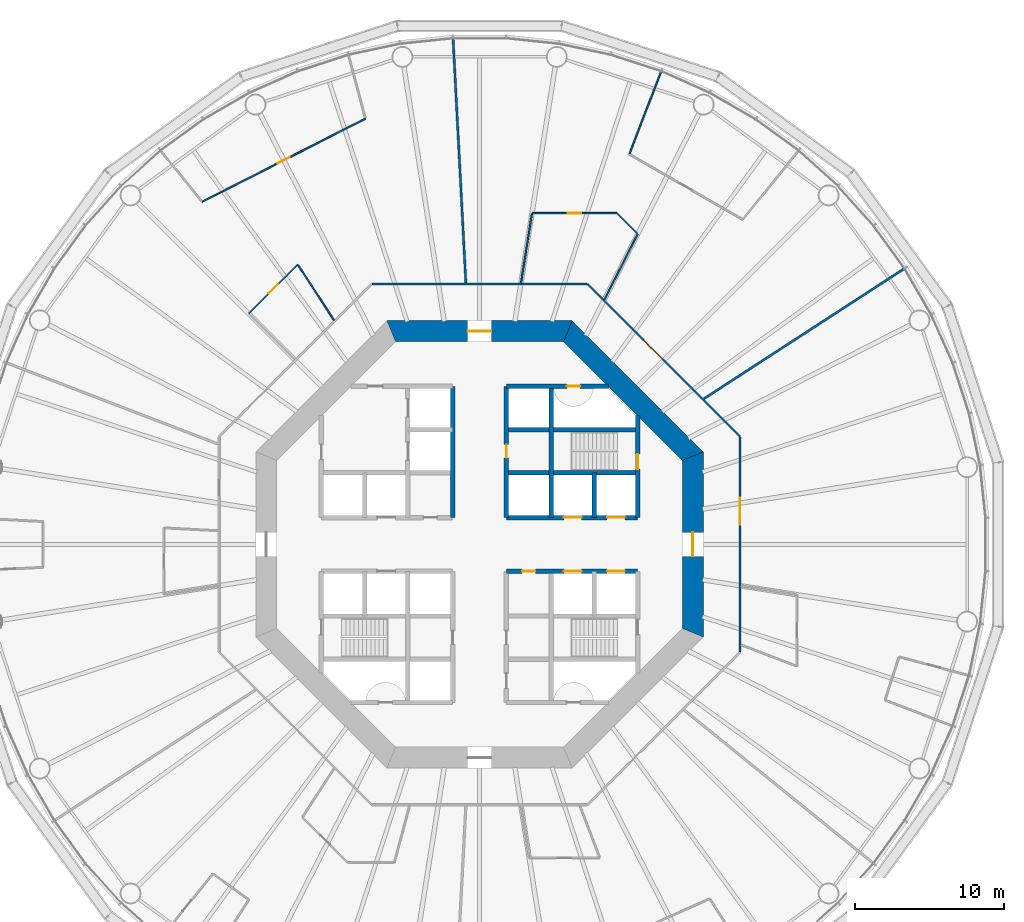
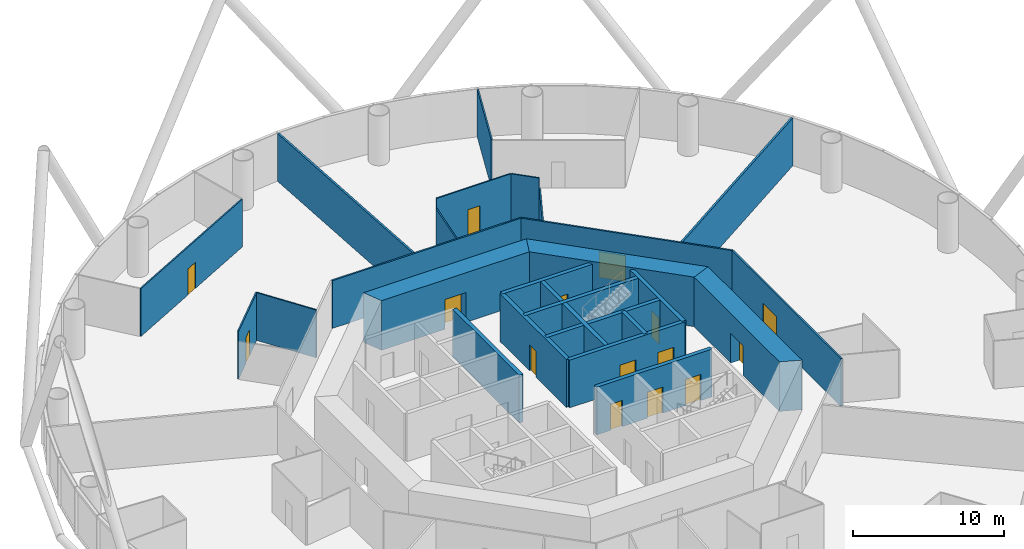
# One storey, part 5 of 13: 26 walls, 15 doors, 15 openings.
"""IFC4 building model written with IfcOpenShell, lengths in metres."""

import ifcopenshell
import ifcopenshell.guid

model = None  # the IFC model being written
_history = None  # IfcOwnerHistory: only IFC2X3 demands one
_inside = {}  # id of a spatial element -> (the spatial element, [elements in it])
_under = {}  # id of a project, library or spatial element -> (it, [spatial elements below it])
_declared = {}  # id of a project -> (the project, [libraries it declares])
_typed = {}  # id of a type object -> (the type object, [elements of that type])
_made_of = {}  # id of a material, layer set ... -> (it, [elements and type objects made of it])


def new_model(schema):
    """Start an empty IFC model of exactly this schema.

    Asked for "IFC4X3", IfcOpenShell would pick the latest addendum, in which some entities
    have other attributes; the version numbers below select the first issue.
    IFC2X3 requires an IfcOwnerHistory on every rooted entity: one is made here for all.
    """
    global model, _history
    if schema == "IFC4X3":
        model = ifcopenshell.file(schema_version=(4, 3, 0, 0))
    else:
        model = ifcopenshell.file(schema=schema)
    _inside.clear()
    _under.clear()
    _declared.clear()
    _typed.clear()
    _made_of.clear()
    _history = None
    if model.schema == "IFC2X3":
        org = make("IfcOrganization", Name="unknown")
        user = make(
            "IfcPersonAndOrganization",
            ThePerson=make("IfcPerson", FamilyName="unknown"),
            TheOrganization=org,
        )
        app = make(
            "IfcApplication",
            ApplicationDeveloper=org,
            Version="unknown",
            ApplicationFullName="unknown",
            ApplicationIdentifier="unknown",
        )
        _history = make(
            "IfcOwnerHistory",
            OwningUser=user,
            OwningApplication=app,
            ChangeAction="ADDED",
            CreationDate=0,
        )
    return model


def make(cls, **values):
    """One entity of the class cls with the attributes given. An attribute that is None is left unset."""
    return model.create_entity(
        cls, **{name: value for name, value in values.items() if value is not None}
    )


def rooted(cls, **values):
    """An entity with a GlobalId (a new one), such as an element, a storey or a relation."""
    return make(cls, GlobalId=ifcopenshell.guid.new(), OwnerHistory=_history, **values)


def si_unit(unit_type, name, prefix=None):
    """IfcSIUnit, for example si_unit("LENGTHUNIT", "METRE", prefix="MILLI")."""
    return make("IfcSIUnit", UnitType=unit_type, Prefix=prefix, Name=name)


def assignment(units):
    """IfcUnitAssignment: the units of a project."""
    return None if units is None else make("IfcUnitAssignment", Units=units)


def point(xyz):
    """IfcCartesianPoint."""
    return None if xyz is None else make("IfcCartesianPoint", Coordinates=xyz)


def direction(xyz):
    """IfcDirection."""
    return None if xyz is None else make("IfcDirection", DirectionRatios=xyz)


def frame(location, z_axis=None, x_axis=None):
    """IfcAxis2Placement3D, a coordinate frame: its origin and axes. An axis left out is left unset."""
    return make(
        "IfcAxis2Placement3D",
        Location=point(location),
        Axis=direction(z_axis),
        RefDirection=direction(x_axis),
    )


def frame_2d(location, x_axis=None):
    """IfcAxis2Placement2D, a coordinate frame in the plane: its origin and x axis."""
    return make(
        "IfcAxis2Placement2D", Location=point(location), RefDirection=direction(x_axis)
    )


def origin():
    """The frame at (0, 0, 0) with its axes left unset."""
    return frame((0.0, 0.0, 0.0))


def place(relative_to, where):
    """IfcLocalPlacement: puts the frame where relative to a parent placement (None: the world)."""
    return make(
        "IfcLocalPlacement", PlacementRelTo=relative_to, RelativePlacement=where
    )


def context(
    kind, dimensions, precision=None, world=None, true_north=None, identifier=None
):
    """IfcGeometricRepresentationContext, for example the 3D "Model" context."""
    return make(
        "IfcGeometricRepresentationContext",
        ContextIdentifier=identifier,
        ContextType=kind,
        CoordinateSpaceDimension=dimensions,
        Precision=precision,
        WorldCoordinateSystem=world,
        TrueNorth=true_north,
    )


def subcontext(parent, identifier, kind, view, scale=None):
    """IfcGeometricRepresentationSubContext, for example "Body" below "Model"."""
    return make(
        "IfcGeometricRepresentationSubContext",
        ContextIdentifier=identifier,
        ContextType=kind,
        ParentContext=parent,
        TargetScale=scale,
        TargetView=view,
    )


def project(units=None, contexts=None):
    """IfcProject with its units and contexts."""
    return rooted(
        "IfcProject",
        Name="project",
        RepresentationContexts=contexts,
        UnitsInContext=assignment(units),
    )


def spatial(cls, under=None, at=None, **own):
    """A site, building, storey or space (cls), placed at a placement, below another one or the project."""
    s = rooted(cls, ObjectPlacement=at, **own)
    if under is not None:
        _under.setdefault(under.id(), (under, []))[1].append(s)
    return s


def polyline(points):
    """IfcPolyline through the points."""
    return make("IfcPolyline", Points=[point(p) for p in points])


def profile(cls, at=None, kind="AREA", **sizes):
    """A parametric profile (cls). Its sizes go by their IFC names, for example OverallWidth=200.0."""
    return make(cls, ProfileType=kind, Position=at, **sizes)


def rectangle(**sizes):
    """IfcRectangleProfileDef."""
    return profile("IfcRectangleProfileDef", **sizes)


def outline(outer, holes=None, kind="AREA"):
    """IfcArbitraryClosedProfileDef: a profile drawn as a closed curve; with holes, ...WithVoids."""
    if holes is None:
        return make("IfcArbitraryClosedProfileDef", ProfileType=kind, OuterCurve=outer)
    return make(
        "IfcArbitraryProfileDefWithVoids",
        ProfileType=kind,
        OuterCurve=outer,
        InnerCurves=holes,
    )


def extrude(swept, where, along, depth):
    """IfcExtrudedAreaSolid: the profile swept, set in the frame where, extruded along a direction by depth."""
    return make(
        "IfcExtrudedAreaSolid",
        SweptArea=swept,
        Position=where,
        ExtrudedDirection=direction(along),
        Depth=depth,
    )


def shape(context_of_items, identifier, shape_type, items):
    """IfcShapeRepresentation: the items that make up one representation, for example the "Body"."""
    return make(
        "IfcShapeRepresentation",
        ContextOfItems=context_of_items,
        RepresentationIdentifier=identifier,
        RepresentationType=shape_type,
        Items=items,
    )


def material(Name=None, Category=None):
    """IfcMaterial."""
    return make("IfcMaterial", Name=Name, Category=Category)


def layer(
    of_material, thickness, ventilated=None, Name=None, Category=None, Priority=None
):
    """IfcMaterialLayer: one layer of a wall or slab, of a material (None: an air gap)."""
    return make(
        "IfcMaterialLayer",
        Material=of_material,
        LayerThickness=thickness,
        IsVentilated=ventilated,
        Name=Name,
        Category=Category,
        Priority=Priority,
    )


def layer_set(layers, Name=None):
    """IfcMaterialLayerSet."""
    return make("IfcMaterialLayerSet", MaterialLayers=layers, LayerSetName=Name)


def made_of(thing, what):
    """Note that an element or type object is made of a material, layer set ...; save() writes the relation."""
    if what is not None:
        _made_of.setdefault(what.id(), (what, []))[1].append(thing)
    return thing


def type_object(cls, material=None, **own):
    """A type object (cls), such as IfcWallType, which elements share."""
    return made_of(rooted(cls, **own), material)


def element(
    cls,
    number,
    at=None,
    inside=None,
    cuts=None,
    type_object=None,
    material=None,
    context=None,
    identifier="Body",
    shape_type=None,
    held_by="IfcProductDefinitionShape",
    body=None,
    shapes=None,
    **own,
):
    """One element of the class cls, such as IfcWall. Its Tag is "e" and its number.

    at: its placement. inside: the storey or other place that contains it. cuts: it is an
    opening in that element (IfcRelVoidsElement). A single representation is given by context,
    identifier, shape_type and body (its items); several are given by shapes. held_by: the class
    of the entity that holds the representations. save() writes the other relations.
    """
    e = rooted(cls, Tag="e%d" % number, ObjectPlacement=at, **own)
    if body is not None:
        shapes = [shape(context, identifier, shape_type, body)]
    if shapes is not None:
        e.Representation = make(held_by, Representations=shapes)
    if inside is not None:
        _inside.setdefault(inside.id(), (inside, []))[1].append(e)
    if cuts is not None:
        rooted(
            "IfcRelVoidsElement", RelatingBuildingElement=cuts, RelatedOpeningElement=e
        )
    if type_object is not None:
        _typed.setdefault(type_object.id(), (type_object, []))[1].append(e)
    return made_of(e, material)


def fill(opening, filler):
    """IfcRelFillsElement: the door or window that sits in an opening."""
    return rooted(
        "IfcRelFillsElement",
        RelatingOpeningElement=opening,
        RelatedBuildingElement=filler,
    )


def aggregate(whole, parts):
    """IfcRelAggregates: a whole, such as a stair, and the parts it consists of."""
    return rooted("IfcRelAggregates", RelatingObject=whole, RelatedObjects=parts)


def save(model, path):
    """Write the relations noted so far, then the file.

    IfcRelAggregates (storeys below a building ...), IfcRelContainedInSpatialStructure (elements
    in a storey), IfcRelDefinesByType, IfcRelAssociatesMaterial and IfcRelDeclares: one each for
    every whole, place, type object, material and project.
    """
    for whole, parts in _under.values():
        aggregate(whole, parts)
    for where, things in _inside.values():
        rooted(
            "IfcRelContainedInSpatialStructure",
            RelatedElements=things,
            RelatingStructure=where,
        )
    for kind, things in _typed.values():
        rooted("IfcRelDefinesByType", RelatedObjects=things, RelatingType=kind)
    for what, things in _made_of.values():
        rooted("IfcRelAssociatesMaterial", RelatedObjects=things, RelatingMaterial=what)
    for by, libraries in _declared.values():
        rooted("IfcRelDeclares", RelatingContext=by, RelatedDefinitions=libraries)
    model.write(path)


model = new_model("IFC4")

# Units and contexts
model_context = context("Model", 3, precision=1e-05, world=origin(), true_north=direction((0.0, 1.0)))
body_context = subcontext(model_context, "Body", "Model", "MODEL_VIEW")
ifc_project = project(units=[si_unit("LENGTHUNIT", "METRE"), si_unit("AREAUNIT", "SQUARE_METRE"), si_unit("VOLUMEUNIT", "CUBIC_METRE"), si_unit("PLANEANGLEUNIT", "RADIAN"), si_unit("MASSUNIT", "GRAM", prefix="KILO")], contexts=[model_context])

# Site, building, storey
site_placement = place(None, origin())
site = spatial("IfcSite", under=ifc_project, at=site_placement, CompositionType="ELEMENT")
building_placement = place(site_placement, origin())
building = spatial("IfcBuilding", under=site, at=building_placement, Name="Entoto Ring Tower", CompositionType="ELEMENT")
storey_placement = place(building_placement, frame((0.0, 0.0, 38.0)))
storey = spatial("IfcBuildingStorey", under=building, at=storey_placement, Name="L07", CompositionType="ELEMENT", Elevation=38.0)

# Wall, opening, door
ifc_material_1 = material(Name="Concrete C40/50", Category="concrete")
ifc_layer_1 = layer(ifc_material_1, 0.300048828125)
ifc_layer_set_1 = layer_set([ifc_layer_1], Name="Concrete C40/50")
wall_type_1 = type_object("IfcWallType", Name="Core enclosure wall 300 mm reinforced concrete", PredefinedType="SOLIDWALL", material=ifc_layer_set_1)
wall_1_placement = place(storey_placement, frame((100.60009765625, 81.800048828125, 0.0), z_axis=(0.0, 0.0, 1.0), x_axis=(0.0, 1.0, 0.0)))
wall_1 = element("IfcWall", 1, at=wall_1_placement, inside=storey, type_object=wall_type_1, Name="wall-L07-002", PredefinedType="SOLIDWALL", context=body_context, shape_type="SweptSolid", body=[
    extrude(rectangle(XDim=6.833251953125, YDim=0.300048828125, at=frame_2d((3.41650390625, 0.0))), origin(), (0.0, 0.0, 1.0), 3.85009765625),
])
opening_1_placement = place(wall_1_placement, frame((3.25, 0.0, 0.0)))
opening_1 = element("IfcOpeningElement", 2, at=opening_1_placement, cuts=wall_1, Name="Opening K-17", PredefinedType="OPENING", context=body_context, shape_type="SweptSolid", body=[
    extrude(rectangle(XDim=1.0, YDim=2.10009765625, at=frame_2d((0.5, 1.050048828125))), frame((0.0, 0.16015625, 0.0), z_axis=(0.0, -1.0, 0.0), x_axis=(1.0, 0.0, 0.0)), (0.0, 0.0, 1.0), 0.320068359375),
])
ifc_material_2 = material(Name="Steel door leaf, fire rated", Category="steel")
ifc_layer_2 = layer(ifc_material_2, 0.050048828125)
ifc_layer_set_2 = layer_set([ifc_layer_2], Name="Steel door leaf, fire rated")
door_type_1 = type_object("IfcDoorType", Name="Fire door FD60 1000 x 2100 single leaf", OperationType="NOTDEFINED", PredefinedType="DOOR", material=ifc_layer_set_2)
door_1_placement = place(opening_1_placement, origin())
door_1 = element("IfcDoor", 3, at=door_1_placement, inside=storey, type_object=door_type_1, Name="Door K-17", OperationType="SINGLE_SWING_RIGHT", OverallHeight=2.10009765625, OverallWidth=1.0, PredefinedType="DOOR", context=body_context, shape_type="SweptSolid", body=[
    extrude(rectangle(XDim=1.0, YDim=2.10009765625, at=frame_2d((0.5, 1.050048828125))), frame((0.0, 0.02490234375, 0.0), z_axis=(0.0, -1.0, 0.0), x_axis=(1.0, 0.0, 0.0)), (0.0, 0.0, 1.0), 0.050048828125),
])
fill(opening_1, door_1)

# Walls
wall_2_placement = place(storey_placement, frame((97.699951171875, 81.800048828125, 0.0), z_axis=(0.0, 0.0, 1.0), x_axis=(0.0, 1.0, 0.0)))
element("IfcWall", 4, at=wall_2_placement, inside=storey, type_object=wall_type_1, Name="wall-L07-004", PredefinedType="SOLIDWALL", context=body_context, shape_type="SweptSolid", body=[
    extrude(rectangle(XDim=3.0, YDim=0.300048828125, at=frame_2d((1.5, 0.0))), origin(), (0.0, 0.0, 1.0), 3.85009765625),
])
wall_3_placement = place(storey_placement, frame((94.800048828125, 81.800048828125, 0.0), z_axis=(0.0, 0.0, 1.0), x_axis=(0.0, 1.0, 0.0)))
element("IfcWall", 5, at=wall_3_placement, inside=storey, type_object=wall_type_1, Name="wall-L07-006", PredefinedType="SOLIDWALL", context=body_context, shape_type="SweptSolid", body=[
    extrude(rectangle(XDim=8.800048828125, YDim=0.300048828125, at=frame_2d((4.39990234375, 0.0))), origin(), (0.0, 0.0, 1.0), 3.85009765625),
])

# Wall, opening, door
wall_4_placement = place(storey_placement, frame((91.800048828125, 81.800048828125, 0.0), z_axis=(0.0, 0.0, 1.0), x_axis=(0.0, 1.0, 0.0)))
wall_4 = element("IfcWall", 6, at=wall_4_placement, inside=storey, type_object=wall_type_1, Name="wall-L07-008", PredefinedType="SOLIDWALL", context=body_context, shape_type="SweptSolid", body=[
    extrude(rectangle(XDim=8.800048828125, YDim=0.300048828125, at=frame_2d((4.39990234375, 0.0))), origin(), (0.0, 0.0, 1.0), 3.85009765625),
])
opening_2_placement = place(wall_4_placement, frame((4.0, 0.0, 0.0)))
opening_2 = element("IfcOpeningElement", 7, at=opening_2_placement, cuts=wall_4, Name="Opening K-11", PredefinedType="OPENING", context=body_context, shape_type="SweptSolid", body=[
    extrude(rectangle(XDim=0.89990234375, YDim=2.10009765625, at=frame_2d((0.449951171875, 1.050048828125))), frame((0.0, 0.16015625, 0.0), z_axis=(0.0, -1.0, 0.0), x_axis=(1.0, 0.0, 0.0)), (0.0, 0.0, 1.0), 0.320068359375),
])
ifc_material_3 = material(Name="Steel door leaf, fire rated", Category="steel")
ifc_layer_3 = layer(ifc_material_3, 0.050048828125)
ifc_layer_set_3 = layer_set([ifc_layer_3], Name="Steel door leaf, fire rated")
door_type_2 = type_object("IfcDoorType", Name="Core door 900 x 2100 single leaf", OperationType="NOTDEFINED", PredefinedType="DOOR", material=ifc_layer_set_3)
door_2_placement = place(opening_2_placement, origin())
door_2 = element("IfcDoor", 8, at=door_2_placement, inside=storey, type_object=door_type_2, Name="Door K-11", OperationType="SINGLE_SWING_RIGHT", OverallHeight=2.10009765625, OverallWidth=0.89990234375, PredefinedType="DOOR", context=body_context, shape_type="SweptSolid", body=[
    extrude(rectangle(XDim=0.89990234375, YDim=2.10009765625, at=frame_2d((0.449951171875, 1.050048828125))), frame((0.0, 0.02490234375, 0.0), z_axis=(0.0, -1.0, 0.0), x_axis=(1.0, 0.0, 0.0)), (0.0, 0.0, 1.0), 0.050048828125),
])
fill(opening_2, door_2)

# Wall
wall_5_placement = place(storey_placement, frame((88.199951171875, 81.800048828125, 0.0), z_axis=(0.0, 0.0, 1.0), x_axis=(0.0, 1.0, 0.0)))
element("IfcWall", 9, at=wall_5_placement, inside=storey, type_object=wall_type_1, Name="wall-L07-010", PredefinedType="SOLIDWALL", context=body_context, shape_type="SweptSolid", body=[
    extrude(rectangle(XDim=8.800048828125, YDim=0.300048828125, at=frame_2d((4.39990234375, 0.0))), origin(), (0.0, 0.0, 1.0), 3.85009765625),
])

# Wall, openings, doors
wall_6_placement = place(storey_placement, frame((91.800048828125, 78.199951171875, 0.0), z_axis=(0.0, 0.0, 1.0), x_axis=(1.0, 0.0, 0.0)))
wall_6 = element("IfcWall", 10, at=wall_6_placement, inside=storey, type_object=wall_type_1, Name="wall-L07-024", PredefinedType="SOLIDWALL", context=body_context, shape_type="SweptSolid", body=[
    extrude(rectangle(XDim=8.800048828125, YDim=0.300048828125, at=frame_2d((4.39990234375, 0.0))), origin(), (0.0, 0.0, 1.0), 3.85009765625),
])
opening_3_placement = place(wall_6_placement, frame((3.85009765625, 0.0, 0.0)))
opening_3 = element("IfcOpeningElement", 11, at=opening_3_placement, cuts=wall_6, Name="Opening LD", PredefinedType="OPENING", context=body_context, shape_type="SweptSolid", body=[
    extrude(rectangle(XDim=1.199951171875, YDim=2.10009765625, at=frame_2d((0.60009765625, 1.050048828125))), frame((0.0, 0.16015625, 0.0), z_axis=(0.0, -1.0, 0.0), x_axis=(1.0, 0.0, 0.0)), (0.0, 0.0, 1.0), 0.320068359375),
])
opening_4_placement = place(wall_6_placement, frame((6.75, 0.0, 0.0)))
opening_4 = element("IfcOpeningElement", 12, at=opening_4_placement, cuts=wall_6, Name="Opening LD", PredefinedType="OPENING", context=body_context, shape_type="SweptSolid", body=[
    extrude(rectangle(XDim=1.199951171875, YDim=2.10009765625, at=frame_2d((0.60009765625, 1.050048828125))), frame((0.0, 0.16015625, 0.0), z_axis=(0.0, -1.0, 0.0), x_axis=(1.0, 0.0, 0.0)), (0.0, 0.0, 1.0), 0.320068359375),
])
opening_5_placement = place(wall_6_placement, frame((1.050048828125, 0.0, 0.0)))
opening_5 = element("IfcOpeningElement", 13, at=opening_5_placement, cuts=wall_6, Name="Opening K-16", PredefinedType="OPENING", context=body_context, shape_type="SweptSolid", body=[
    extrude(rectangle(XDim=0.89990234375, YDim=2.10009765625, at=frame_2d((0.449951171875, 1.050048828125))), frame((0.0, 0.16015625, 0.0), z_axis=(0.0, -1.0, 0.0), x_axis=(1.0, 0.0, 0.0)), (0.0, 0.0, 1.0), 0.320068359375),
])
door_3_placement = place(opening_5_placement, frame((0.89990234375, 0.0, 0.0), z_axis=(0.0, 0.0, 1.0), x_axis=(-1.0, 0.0, 0.0)))
door_3 = element("IfcDoor", 14, at=door_3_placement, inside=storey, type_object=door_type_2, Name="Door K-16", OperationType="SINGLE_SWING_RIGHT", OverallHeight=2.10009765625, OverallWidth=0.89990234375, PredefinedType="DOOR", context=body_context, shape_type="SweptSolid", body=[
    extrude(rectangle(XDim=0.89990234375, YDim=2.10009765625, at=frame_2d((0.449951171875, 1.050048828125))), frame((0.0, 0.02490234375, 0.0), z_axis=(0.0, -1.0, 0.0), x_axis=(1.0, 0.0, 0.0)), (0.0, 0.0, 1.0), 0.050048828125),
])
fill(opening_5, door_3)
ifc_material_4 = material(Name="Steel and glass door leaf", Category="steel")
ifc_layer_4 = layer(ifc_material_4, 0.050048828125)
ifc_layer_set_4 = layer_set([ifc_layer_4], Name="Steel and glass door leaf")
door_type_3 = type_object("IfcDoorType", Name="Landing door 1200 x 2100 sliding", OperationType="DOUBLE_DOOR_SLIDING", PredefinedType="DOOR", material=ifc_layer_set_4)
door_4_placement = place(opening_3_placement, origin())
door_4 = element("IfcDoor", 15, at=door_4_placement, inside=storey, type_object=door_type_3, Name="Landing door LB4-LR", OperationType="SLIDING_TO_RIGHT", OverallHeight=2.10009765625, OverallWidth=1.199951171875, PredefinedType="DOOR", context=body_context, shape_type="SweptSolid", body=[
    extrude(rectangle(XDim=1.199951171875, YDim=2.10009765625, at=frame_2d((0.60009765625, 1.050048828125))), frame((0.0, 0.02490234375, 0.0), z_axis=(0.0, -1.0, 0.0), x_axis=(1.0, 0.0, 0.0)), (0.0, 0.0, 1.0), 0.050048828125),
])
fill(opening_3, door_4)
door_5_placement = place(opening_4_placement, origin())
door_5 = element("IfcDoor", 16, at=door_5_placement, inside=storey, type_object=door_type_3, Name="Landing door LB5-LR", OperationType="SLIDING_TO_RIGHT", OverallHeight=2.10009765625, OverallWidth=1.199951171875, PredefinedType="DOOR", context=body_context, shape_type="SweptSolid", body=[
    extrude(rectangle(XDim=1.199951171875, YDim=2.10009765625, at=frame_2d((0.60009765625, 1.050048828125))), frame((0.0, 0.02490234375, 0.0), z_axis=(0.0, -1.0, 0.0), x_axis=(1.0, 0.0, 0.0)), (0.0, 0.0, 1.0), 0.050048828125),
])
fill(opening_4, door_5)

wall_7_placement = place(storey_placement, frame((91.800048828125, 81.800048828125, 0.0), z_axis=(0.0, 0.0, 1.0), x_axis=(1.0, 0.0, 0.0)))
wall_7 = element("IfcWall", 17, at=wall_7_placement, inside=storey, type_object=wall_type_1, Name="wall-L07-026", PredefinedType="SOLIDWALL", context=body_context, shape_type="SweptSolid", body=[
    extrude(rectangle(XDim=8.800048828125, YDim=0.300048828125, at=frame_2d((4.39990234375, 0.0))), origin(), (0.0, 0.0, 1.0), 3.85009765625),
])
opening_6_placement = place(wall_7_placement, frame((3.85009765625, 0.0, 0.0)))
opening_6 = element("IfcOpeningElement", 18, at=opening_6_placement, cuts=wall_7, Name="Opening LD", PredefinedType="OPENING", context=body_context, shape_type="SweptSolid", body=[
    extrude(rectangle(XDim=1.199951171875, YDim=2.10009765625, at=frame_2d((0.60009765625, 1.050048828125))), frame((0.0, 0.16015625, 0.0), z_axis=(0.0, -1.0, 0.0), x_axis=(1.0, 0.0, 0.0)), (0.0, 0.0, 1.0), 0.320068359375),
])
opening_7_placement = place(wall_7_placement, frame((6.75, 0.0, 0.0)))
opening_7 = element("IfcOpeningElement", 19, at=opening_7_placement, cuts=wall_7, Name="Opening LD", PredefinedType="OPENING", context=body_context, shape_type="SweptSolid", body=[
    extrude(rectangle(XDim=1.199951171875, YDim=2.10009765625, at=frame_2d((0.60009765625, 1.050048828125))), frame((0.0, 0.16015625, 0.0), z_axis=(0.0, -1.0, 0.0), x_axis=(1.0, 0.0, 0.0)), (0.0, 0.0, 1.0), 0.320068359375),
])
door_6_placement = place(opening_6_placement, origin())
door_6 = element("IfcDoor", 20, at=door_6_placement, inside=storey, type_object=door_type_3, Name="Landing door LB1-LR", OperationType="SLIDING_TO_RIGHT", OverallHeight=2.10009765625, OverallWidth=1.199951171875, PredefinedType="DOOR", context=body_context, shape_type="SweptSolid", body=[
    extrude(rectangle(XDim=1.199951171875, YDim=2.10009765625, at=frame_2d((0.60009765625, 1.050048828125))), frame((0.0, 0.02490234375, 0.0), z_axis=(0.0, -1.0, 0.0), x_axis=(1.0, 0.0, 0.0)), (0.0, 0.0, 1.0), 0.050048828125),
])
fill(opening_6, door_6)
door_7_placement = place(opening_7_placement, origin())
door_7 = element("IfcDoor", 21, at=door_7_placement, inside=storey, type_object=door_type_3, Name="Landing door LB2-LR", OperationType="SLIDING_TO_RIGHT", OverallHeight=2.10009765625, OverallWidth=1.199951171875, PredefinedType="DOOR", context=body_context, shape_type="SweptSolid", body=[
    extrude(rectangle(XDim=1.199951171875, YDim=2.10009765625, at=frame_2d((0.60009765625, 1.050048828125))), frame((0.0, 0.02490234375, 0.0), z_axis=(0.0, -1.0, 0.0), x_axis=(1.0, 0.0, 0.0)), (0.0, 0.0, 1.0), 0.050048828125),
])
fill(opening_7, door_7)

# Walls
for number, where, z_axis, x_axis, name in (
    (22, (91.800048828125, 84.800048828125, 0.0), (0.0, 0.0, 1.0), (1.0, 0.0, 0.0), "wall-L07-028"),
    (23, (91.800048828125, 87.699951171875, 0.0), (0.0, 0.0, 1.0), (1.0, 0.0, 0.0), "wall-L07-030"),
):
    element("IfcWall", number, at=place(storey_placement, frame(where, z_axis=z_axis, x_axis=x_axis)), inside=storey, type_object=wall_type_1, Name=name, PredefinedType="SOLIDWALL", context=body_context, shape_type="SweptSolid", body=[
        extrude(rectangle(XDim=8.800048828125, YDim=0.300048828125, at=frame_2d((4.39990234375, 0.0))), origin(), (0.0, 0.0, 1.0), 3.85009765625),
    ])

# Wall, opening, door
wall_8_placement = place(storey_placement, frame((91.800048828125, 90.60009765625, 0.0), z_axis=(0.0, 0.0, 1.0), x_axis=(1.0, 0.0, 0.0)))
wall_8 = element("IfcWall", 24, at=wall_8_placement, inside=storey, type_object=wall_type_1, Name="wall-L07-032", PredefinedType="SOLIDWALL", context=body_context, shape_type="SweptSolid", body=[
    extrude(rectangle(XDim=6.833251953125, YDim=0.300048828125, at=frame_2d((3.41650390625, 0.0))), origin(), (0.0, 0.0, 1.0), 3.85009765625),
])
opening_8_placement = place(wall_8_placement, frame((4.050048828125, 0.0, 0.0)))
opening_8 = element("IfcOpeningElement", 25, at=opening_8_placement, cuts=wall_8, Name="Opening K-20", PredefinedType="OPENING", context=body_context, shape_type="SweptSolid", body=[
    extrude(rectangle(XDim=0.89990234375, YDim=2.10009765625, at=frame_2d((0.449951171875, 1.050048828125))), frame((0.0, 0.16015625, 0.0), z_axis=(0.0, -1.0, 0.0), x_axis=(1.0, 0.0, 0.0)), (0.0, 0.0, 1.0), 0.320068359375),
])
ifc_material_5 = material(Name="Steel door leaf, fire rated", Category="steel")
ifc_layer_5 = layer(ifc_material_5, 0.050048828125)
ifc_layer_set_5 = layer_set([ifc_layer_5], Name="Steel door leaf, fire rated")
door_type_4 = type_object("IfcDoorType", Name="Riser door FD60 900 x 2100 single leaf", OperationType="NOTDEFINED", PredefinedType="DOOR", material=ifc_layer_set_5)
door_8_placement = place(opening_8_placement, frame((0.89990234375, 0.0, 0.0), z_axis=(0.0, 0.0, 1.0), x_axis=(-1.0, 0.0, 0.0)))
door_8 = element("IfcDoor", 26, at=door_8_placement, inside=storey, type_object=door_type_4, Name="Door K-20", OperationType="SINGLE_SWING_LEFT", OverallHeight=2.10009765625, OverallWidth=0.89990234375, PredefinedType="DOOR", context=body_context, shape_type="SweptSolid", body=[
    extrude(rectangle(XDim=0.89990234375, YDim=2.10009765625, at=frame_2d((0.449951171875, 1.050048828125))), frame((0.0, 0.02490234375, 0.0), z_axis=(0.0, -1.0, 0.0), x_axis=(1.0, 0.0, 0.0)), (0.0, 0.0, 1.0), 0.050048828125),
])
fill(opening_8, door_8)

ifc_material_6 = material(Name="Concrete C60/75", Category="concrete")
ifc_layer_6 = layer(ifc_material_6, 1.39990234375)
ifc_layer_set_6 = layer_set([ifc_layer_6], Name="Concrete C60/75")
wall_type_2 = type_object("IfcWallType", Name="Core shear wall 1400 mm reinforced concrete C60/75", PredefinedType="SHEAR", material=ifc_layer_set_6)
wall_9_placement = place(storey_placement, frame((104.300048828125, 74.07666015625, 0.0), z_axis=(0.0, 0.0, 1.0), x_axis=(0.0, 1.0, 0.0)))
wall_9 = element("IfcWall", 27, at=wall_9_placement, inside=storey, type_object=wall_type_2, Name="wall-L07-core-0", PredefinedType="SHEAR", context=body_context, shape_type="SweptSolid", body=[
    extrude(outline(polyline([(-0.2900390625, -0.699951171875), (12.13671875, -0.699951171875), (11.556640625, 0.699951171875), (0.2900390625, 0.699951171875), (-0.2900390625, -0.699951171875)])), origin(), (0.0, 0.0, 1.0), 4.0),
])
opening_9_placement = place(wall_9_placement, frame((5.123291015625, 0.0, 0.0)))
opening_9 = element("IfcOpeningElement", 28, at=opening_9_placement, cuts=wall_9, Name="Opening K-01", PredefinedType="OPENING", context=body_context, shape_type="SweptSolid", body=[
    extrude(rectangle(XDim=1.60009765625, YDim=2.39990234375, at=frame_2d((0.800048828125, 1.199951171875))), frame((0.0, 0.7099609375, 0.0), z_axis=(0.0, -1.0, 0.0), x_axis=(1.0, 0.0, 0.0)), (0.0, 0.0, 1.0), 1.419921875),
])
ifc_material_7 = material(Name="Steel door leaf, fire rated", Category="steel")
ifc_layer_7 = layer(ifc_material_7, 0.050048828125)
ifc_layer_set_7 = layer_set([ifc_layer_7], Name="Steel door leaf, fire rated")
door_type_5 = type_object("IfcDoorType", Name="Entrance door FD60 1600 x 2400 double leaf", OperationType="DOUBLE_DOOR_SINGLE_SWING", PredefinedType="DOOR", material=ifc_layer_set_7)
door_9_placement = place(opening_9_placement, origin())
door_9 = element("IfcDoor", 29, at=door_9_placement, inside=storey, type_object=door_type_5, Name="Entrance door K-01", OperationType="DOUBLE_DOOR_SINGLE_SWING", OverallHeight=2.39990234375, OverallWidth=1.60009765625, PredefinedType="DOOR", context=body_context, shape_type="SweptSolid", body=[
    extrude(rectangle(XDim=1.60009765625, YDim=2.39990234375, at=frame_2d((0.800048828125, 1.199951171875))), frame((0.0, 0.02490234375, 0.0), z_axis=(0.0, -1.0, 0.0), x_axis=(1.0, 0.0, 0.0)), (0.0, 0.0, 1.0), 0.050048828125),
])
fill(opening_9, door_9)

# Wall
wall_10_placement = place(storey_placement, frame((104.300048828125, 85.92333984375, 0.0), z_axis=(0.0, 0.0, 1.0), x_axis=(-0.707106781187, 0.707106781187, 0.0)))
element("IfcWall", 30, at=wall_10_placement, inside=storey, type_object=wall_type_2, Name="wall-L07-core-1", PredefinedType="SHEAR", context=body_context, shape_type="SweptSolid", body=[
    extrude(outline(polyline([(-0.2900390625, -0.699951171875), (12.136474609375, -0.699951171875), (11.556396484375, 0.699951171875), (0.2900390625, 0.699951171875), (-0.2900390625, -0.699951171875)])), origin(), (0.0, 0.0, 1.0), 4.0),
])

# Wall, opening, door
wall_11_placement = place(storey_placement, frame((95.92333984375, 94.300048828125, 0.0), z_axis=(0.0, 0.0, 1.0), x_axis=(-1.0, 0.0, 0.0)))
wall_11 = element("IfcWall", 31, at=wall_11_placement, inside=storey, type_object=wall_type_2, Name="wall-L07-core-2", PredefinedType="SHEAR", context=body_context, shape_type="SweptSolid", body=[
    extrude(outline(polyline([(-0.2900390625, -0.699951171875), (12.13671875, -0.699951171875), (11.556640625, 0.699951171875), (0.2900390625, 0.699951171875), (-0.2900390625, -0.699951171875)])), origin(), (0.0, 0.0, 1.0), 4.0),
])
opening_10_placement = place(wall_11_placement, frame((5.123291015625, 0.0, 0.0)))
opening_10 = element("IfcOpeningElement", 32, at=opening_10_placement, cuts=wall_11, Name="Opening K-02", PredefinedType="OPENING", context=body_context, shape_type="SweptSolid", body=[
    extrude(rectangle(XDim=1.60009765625, YDim=2.39990234375, at=frame_2d((0.800048828125, 1.199951171875))), frame((0.0, 0.7099609375, 0.0), z_axis=(0.0, -1.0, 0.0), x_axis=(1.0, 0.0, 0.0)), (0.0, 0.0, 1.0), 1.419921875),
])
door_10_placement = place(opening_10_placement, origin())
door_10 = element("IfcDoor", 33, at=door_10_placement, inside=storey, type_object=door_type_5, Name="Entrance door K-02", OperationType="DOUBLE_DOOR_SINGLE_SWING", OverallHeight=2.39990234375, OverallWidth=1.60009765625, PredefinedType="DOOR", context=body_context, shape_type="SweptSolid", body=[
    extrude(rectangle(XDim=1.60009765625, YDim=2.39990234375, at=frame_2d((0.800048828125, 1.199951171875))), frame((0.0, 0.02490234375, 0.0), z_axis=(0.0, -1.0, 0.0), x_axis=(1.0, 0.0, 0.0)), (0.0, 0.0, 1.0), 0.050048828125),
])
fill(opening_10, door_10)

ifc_material_8 = material(Name="Fire-resisting plasterboard on steel studs", Category="steel")
ifc_layer_8 = layer(ifc_material_8, 0.125)
ifc_layer_set_8 = layer_set([ifc_layer_8], Name="Fire-resisting plasterboard on steel studs")
wall_type_3 = type_object("IfcWallType", Name="Corridor wall 125 mm one-hour plasterboard on steel studs", PredefinedType="PARTITIONING", material=ifc_layer_set_8)
wall_12_placement = place(storey_placement, frame((107.46240234375, 87.233154296875, 0.0), z_axis=(0.0, 0.0, 1.0), x_axis=(-0.707106781187, 0.707106781187, 0.0)))
wall_12 = element("IfcWall", 34, at=wall_12_placement, inside=storey, type_object=wall_type_3, Name="partition-L07-004", PredefinedType="PARTITIONING", context=body_context, shape_type="SweptSolid", body=[
    extrude(rectangle(XDim=14.46630859375, YDim=0.125, at=frame_2d((7.233154296875, 0.0))), origin(), (0.0, 0.0, 1.0), 3.85009765625),
])
opening_11_placement = place(wall_12_placement, frame((7.314208984375, 0.0, 0.0)))
opening_11 = element("IfcOpeningElement", 35, at=opening_11_placement, cuts=wall_12, Name="Opening A03-D10", PredefinedType="OPENING", context=body_context, shape_type="SweptSolid", body=[
    extrude(rectangle(XDim=1.800048828125, YDim=2.10009765625, at=frame_2d((0.89990234375, 1.050048828125))), frame((0.0, 0.072509765625, 0.0), z_axis=(0.0, -1.0, 0.0), x_axis=(1.0, 0.0, 0.0)), (0.0, 0.0, 1.0), 0.14501953125),
])
ifc_material_9 = material(Name="Fire-resisting timber door set", Category="wood")
door_type_6 = type_object("IfcDoorType", Name="Door 1800 x 2100 double leaf FD30S fire door", OperationType="DOUBLE_DOOR_SINGLE_SWING", PredefinedType="DOOR", material=ifc_material_9)
door_11_placement = place(opening_11_placement, frame((1.800048828125, 0.0, 0.0), z_axis=(0.0, 0.0, 1.0), x_axis=(-1.0, 0.0, 0.0)))
door_11 = element("IfcDoor", 36, at=door_11_placement, inside=storey, type_object=door_type_6, Name="Door A03-D10", OperationType="DOUBLE_DOOR_SINGLE_SWING", OverallHeight=2.10009765625, OverallWidth=1.800048828125, PredefinedType="DOOR", context=body_context, shape_type="SweptSolid", body=[
    extrude(rectangle(XDim=1.800048828125, YDim=2.10009765625, at=frame_2d((0.89990234375, 1.050048828125))), frame((0.0, 0.02490234375, 0.0), z_axis=(0.0, -1.0, 0.0), x_axis=(1.0, 0.0, 0.0)), (0.0, 0.0, 1.0), 0.050048828125),
])
fill(opening_11, door_11)

# Wall
wall_13_placement = place(storey_placement, frame((82.810791015625, 97.46240234375, 0.0), z_axis=(0.0, 0.0, 1.0), x_axis=(1.0, 0.0, 0.0)))
element("IfcWall", 37, at=wall_13_placement, inside=storey, type_object=wall_type_3, Name="partition-L07-007", PredefinedType="PARTITIONING", context=body_context, shape_type="SweptSolid", body=[
    extrude(rectangle(XDim=14.37841796875, YDim=0.125, at=frame_2d((7.189208984375, 0.0))), origin(), (0.0, 0.0, 1.0), 3.85009765625),
])

# Wall, opening, door
wall_14_placement = place(storey_placement, frame((107.46240234375, 72.810791015625, 0.0), z_axis=(0.0, 0.0, 1.0), x_axis=(0.0, 1.0, 0.0)))
wall_14 = element("IfcWall", 38, at=wall_14_placement, inside=storey, type_object=wall_type_3, Name="partition-L07-008", PredefinedType="PARTITIONING", context=body_context, shape_type="SweptSolid", body=[
    extrude(rectangle(XDim=14.37841796875, YDim=0.125, at=frame_2d((7.189208984375, 0.0))), origin(), (0.0, 0.0, 1.0), 3.85009765625),
])
opening_12_placement = place(wall_14_placement, frame((8.52294921875, 0.0, 0.0)))
opening_12 = element("IfcOpeningElement", 39, at=opening_12_placement, cuts=wall_14, Name="Opening A03-D07", PredefinedType="OPENING", context=body_context, shape_type="SweptSolid", body=[
    extrude(rectangle(XDim=1.800048828125, YDim=2.10009765625, at=frame_2d((0.89990234375, 1.050048828125))), frame((0.0, 0.072509765625, 0.0), z_axis=(0.0, -1.0, 0.0), x_axis=(1.0, 0.0, 0.0)), (0.0, 0.0, 1.0), 0.14501953125),
])
door_12_placement = place(opening_12_placement, origin())
door_12 = element("IfcDoor", 40, at=door_12_placement, inside=storey, type_object=door_type_6, Name="Door A03-D07", OperationType="DOUBLE_DOOR_SINGLE_SWING", OverallHeight=2.10009765625, OverallWidth=1.800048828125, PredefinedType="DOOR", context=body_context, shape_type="SweptSolid", body=[
    extrude(rectangle(XDim=1.800048828125, YDim=2.10009765625, at=frame_2d((0.89990234375, 1.050048828125))), frame((0.0, 0.02490234375, 0.0), z_axis=(0.0, -1.0, 0.0), x_axis=(1.0, 0.0, 0.0)), (0.0, 0.0, 1.0), 0.050048828125),
])
fill(opening_12, door_12)

ifc_material_10 = material(Name="Plasterboard on steel studs", Category="steel")
ifc_layer_9 = layer(ifc_material_10, 0.10009765625)
ifc_layer_set_9 = layer_set([ifc_layer_9], Name="Plasterboard on steel studs")
wall_type_4 = type_object("IfcWallType", Name="Partition 100 mm plasterboard on steel studs", PredefinedType="PARTITIONING", material=ifc_layer_set_9)
wall_15_placement = place(storey_placement, frame((71.397216796875, 102.972412109375, 0.0), z_axis=(0.0, 0.0, 1.0), x_axis=(0.891009028194, 0.453985585319, 0.0)))
wall_15 = element("IfcWall", 41, at=wall_15_placement, inside=storey, type_object=wall_type_4, Name="partition-L07-015", PredefinedType="PARTITIONING", context=body_context, shape_type="SweptSolid", body=[
    extrude(rectangle(XDim=12.291748046875, YDim=0.10009765625, at=frame_2d((6.14599609375, 0.0))), origin(), (0.0, 0.0, 1.0), 3.85009765625),
])
opening_13_placement = place(wall_15_placement, frame((5.69580078125, 0.0, 0.0)))
opening_13 = element("IfcOpeningElement", 42, at=opening_13_placement, cuts=wall_15, Name="Opening A03-D15", PredefinedType="OPENING", context=body_context, shape_type="SweptSolid", body=[
    extrude(rectangle(XDim=0.89990234375, YDim=2.10009765625, at=frame_2d((0.449951171875, 1.050048828125))), frame((0.0, 0.06005859375, 0.0), z_axis=(0.0, -1.0, 0.0), x_axis=(1.0, 0.0, 0.0)), (0.0, 0.0, 1.0), 0.1201171875),
])
ifc_material_11 = material(Name="Veneered timber door leaf in timber frame", Category="wood")
door_type_7 = type_object("IfcDoorType", Name="Door 900 x 2100 single leaf timber veneer", OperationType="NOTDEFINED", PredefinedType="DOOR", material=ifc_material_11)
door_13_placement = place(opening_13_placement, origin())
door_13 = element("IfcDoor", 43, at=door_13_placement, inside=storey, type_object=door_type_7, Name="Door A03-D15", OperationType="SINGLE_SWING_RIGHT", OverallHeight=2.10009765625, OverallWidth=0.89990234375, PredefinedType="DOOR", context=body_context, shape_type="SweptSolid", body=[
    extrude(rectangle(XDim=0.89990234375, YDim=2.10009765625, at=frame_2d((0.449951171875, 1.050048828125))), frame((0.0, 0.02490234375, 0.0), z_axis=(0.0, -1.0, 0.0), x_axis=(1.0, 0.0, 0.0)), (0.0, 0.0, 1.0), 0.050048828125),
])
fill(opening_13, door_13)

# Wall
wall_16_placement = place(storey_placement, frame((100.062744140625, 106.21435546875, 0.0), z_axis=(0.0, 0.0, 1.0), x_axis=(0.358376050057, 0.933577316962, 0.0)))
element("IfcWall", 44, at=wall_16_placement, inside=storey, type_object=wall_type_4, Name="partition-L07-018", PredefinedType="PARTITIONING", context=body_context, shape_type="SweptSolid", body=[
    extrude(rectangle(XDim=5.86083984375, YDim=0.10009765625, at=frame_2d((2.930419921875, 0.0))), origin(), (0.0, 0.0, 1.0), 3.85009765625),
])

# Wall, opening, door
wall_17_placement = place(storey_placement, frame((93.51806640625, 102.21240234375, 0.0), z_axis=(0.0, 0.0, 1.0), x_axis=(1.0, 0.0, 0.0)))
wall_17 = element("IfcWall", 45, at=wall_17_placement, inside=storey, type_object=wall_type_4, Name="partition-L07-020", PredefinedType="PARTITIONING", context=body_context, shape_type="SweptSolid", body=[
    extrude(rectangle(XDim=5.6826171875, YDim=0.10009765625, at=frame_2d((2.84130859375, 0.0))), origin(), (0.0, 0.0, 1.0), 3.85009765625),
])
opening_14_placement = place(wall_17_placement, frame((2.391357421875, 0.0, 0.0)))
opening_14 = element("IfcOpeningElement", 46, at=opening_14_placement, cuts=wall_17, Name="Opening A03-D11", PredefinedType="OPENING", context=body_context, shape_type="SweptSolid", body=[
    extrude(rectangle(XDim=0.89990234375, YDim=2.10009765625, at=frame_2d((0.449951171875, 1.050048828125))), frame((0.0, 0.06005859375, 0.0), z_axis=(0.0, -1.0, 0.0), x_axis=(1.0, 0.0, 0.0)), (0.0, 0.0, 1.0), 0.1201171875),
])
door_14_placement = place(opening_14_placement, frame((0.89990234375, 0.0, 0.0), z_axis=(0.0, 0.0, 1.0), x_axis=(-1.0, 0.0, 0.0)))
door_14 = element("IfcDoor", 47, at=door_14_placement, inside=storey, type_object=door_type_7, Name="Door A03-D11", OperationType="SINGLE_SWING_RIGHT", OverallHeight=2.10009765625, OverallWidth=0.89990234375, PredefinedType="DOOR", context=body_context, shape_type="SweptSolid", body=[
    extrude(rectangle(XDim=0.89990234375, YDim=2.10009765625, at=frame_2d((0.449951171875, 1.050048828125))), frame((0.0, 0.02490234375, 0.0), z_axis=(0.0, -1.0, 0.0), x_axis=(1.0, 0.0, 0.0)), (0.0, 0.0, 1.0), 0.050048828125),
])
fill(opening_14, door_14)

wall_18_placement = place(storey_placement, frame((74.5126953125, 95.4873046875, 0.0), z_axis=(0.0, 0.0, 1.0), x_axis=(0.707080559512, 0.707133001889, 0.0)))
wall_18 = element("IfcWall", 48, at=wall_18_placement, inside=storey, type_object=wall_type_4, Name="partition-L07-031", PredefinedType="PARTITIONING", context=body_context, shape_type="SweptSolid", body=[
    extrude(rectangle(XDim=4.655517578125, YDim=0.10009765625, at=frame_2d((2.32763671875, 0.0))), origin(), (0.0, 0.0, 1.0), 3.85009765625),
])
opening_15_placement = place(wall_18_placement, frame((1.877685546875, 0.0, 0.0)))
opening_15 = element("IfcOpeningElement", 49, at=opening_15_placement, cuts=wall_18, Name="Opening A03-D14", PredefinedType="OPENING", context=body_context, shape_type="SweptSolid", body=[
    extrude(rectangle(XDim=0.89990234375, YDim=2.10009765625, at=frame_2d((0.449951171875, 1.050048828125))), frame((0.0, 0.06005859375, 0.0), z_axis=(0.0, -1.0, 0.0), x_axis=(1.0, 0.0, 0.0)), (0.0, 0.0, 1.0), 0.1201171875),
])
door_15_placement = place(opening_15_placement, frame((0.89990234375, 0.0, 0.0), z_axis=(0.0, 0.0, 1.0), x_axis=(-1.0, 0.0, 0.0)))
door_15 = element("IfcDoor", 50, at=door_15_placement, inside=storey, type_object=door_type_7, Name="Door A03-D14", OperationType="SINGLE_SWING_LEFT", OverallHeight=2.10009765625, OverallWidth=0.89990234375, PredefinedType="DOOR", context=body_context, shape_type="SweptSolid", body=[
    extrude(rectangle(XDim=0.89990234375, YDim=2.10009765625, at=frame_2d((0.449951171875, 1.050048828125))), frame((0.0, 0.02490234375, 0.0), z_axis=(0.0, -1.0, 0.0), x_axis=(1.0, 0.0, 0.0)), (0.0, 0.0, 1.0), 0.050048828125),
])
fill(opening_15, door_15)

# Walls
wall_19_placement = place(storey_placement, frame((80.236083984375, 95.034912109375, 0.0), z_axis=(0.0, 0.0, 1.0), x_axis=(-0.544602403746, 0.838694355433, 0.0)))
element("IfcWall", 51, at=wall_19_placement, inside=storey, type_object=wall_type_4, Name="partition-L07-034", PredefinedType="PARTITIONING", context=body_context, shape_type="SweptSolid", body=[
    extrude(rectangle(XDim=4.403076171875, YDim=0.10009765625, at=frame_2d((2.20166015625, 0.0))), origin(), (0.0, 0.0, 1.0), 3.85009765625),
])
wall_20_placement = place(storey_placement, frame((100.569580078125, 100.843505859375, 0.0), z_axis=(0.0, 0.0, 1.0), x_axis=(-0.707042560054, 0.707170996487, 0.0)))
element("IfcWall", 52, at=wall_20_placement, inside=storey, type_object=wall_type_4, Name="partition-L07-052", PredefinedType="PARTITIONING", context=body_context, shape_type="SweptSolid", body=[
    extrude(rectangle(XDim=1.90087890625, YDim=0.10009765625, at=frame_2d((0.950439453125, 0.0))), origin(), (0.0, 0.0, 1.0), 3.85009765625),
])
ifc_material_12 = material(Name="Plasterboard on steel studs", Category="steel")
ifc_layer_10 = layer(ifc_material_12, 0.10009765625)
ifc_layer_set_10 = layer_set([ifc_layer_10], Name="Plasterboard on steel studs")
wall_type_5 = type_object("IfcWallType", Name="Partition 100 mm plasterboard on steel studs, 3050 mm high", PredefinedType="PARTITIONING", material=ifc_layer_set_10)
wall_21_placement = place(storey_placement, frame((98.372802734375, 96.432861328125, 0.0), z_axis=(0.0, 0.0, 1.0), x_axis=(0.454018835255, 0.890992085955, 0.0)))
element("IfcWall", 53, at=wall_21_placement, inside=storey, type_object=wall_type_5, Name="partition-L07-025", PredefinedType="PARTITIONING", context=body_context, shape_type="SweptSolid", body=[
    extrude(rectangle(XDim=4.912841796875, YDim=0.10009765625, at=frame_2d((2.45654296875, 0.0))), origin(), (0.0, 0.0, 1.0), 3.050048828125),
])
wall_22_placement = place(storey_placement, frame((92.77685546875, 97.53271484375, 0.0), z_axis=(0.0, 0.0, 1.0), x_axis=(0.156465223402, 0.987683468458, 0.0)))
element("IfcWall", 54, at=wall_22_placement, inside=storey, type_object=wall_type_5, Name="partition-L07-028", PredefinedType="PARTITIONING", context=body_context, shape_type="SweptSolid", body=[
    extrude(rectangle(XDim=4.68896484375, YDim=0.10009765625, at=frame_2d((2.344482421875, 0.0))), origin(), (0.0, 0.0, 1.0), 3.050048828125),
])
ifc_material_13 = material(Name="Fire-resisting acoustic plasterboard on steel studs", Category="steel")
ifc_layer_11 = layer(ifc_material_13, 0.14990234375)
ifc_layer_set_11 = layer_set([ifc_layer_11], Name="Fire-resisting acoustic plasterboard on steel studs")
wall_type_6 = type_object("IfcWallType", Name="Party wall 150 mm one-hour acoustic plasterboard on steel studs", PredefinedType="PARTITIONING", material=ifc_layer_set_11)
wall_23_placement = place(storey_placement, frame((89.081298828125, 97.52880859375, 0.0), z_axis=(0.0, 0.0, 1.0), x_axis=(-0.052337539372, 0.998629451785, 0.0)))
element("IfcWall", 55, at=wall_23_placement, inside=storey, type_object=wall_type_6, Name="partition-L07-010", PredefinedType="PARTITIONING", context=body_context, shape_type="SweptSolid", body=[
    extrude(rectangle(XDim=16.38720703125, YDim=0.14990234375, at=frame_2d((8.193603515625, 0.0))), origin(), (0.0, 0.0, 1.0), 3.85009765625),
])
wall_24_placement = place(storey_placement, frame((105.039306640625, 89.7666015625, 0.0), z_axis=(0.0, 0.0, 1.0), x_axis=(0.838670035364, 0.544639855117, 0.0)))
element("IfcWall", 56, at=wall_24_placement, inside=storey, type_object=wall_type_6, Name="partition-L07-013", PredefinedType="PARTITIONING", context=body_context, shape_type="SweptSolid", body=[
    extrude(rectangle(XDim=16.0078125, YDim=0.14990234375, at=frame_2d((8.00390625, 0.0))), origin(), (0.0, 0.0, 1.0), 3.85009765625),
])

save(model, "model.ifc")
